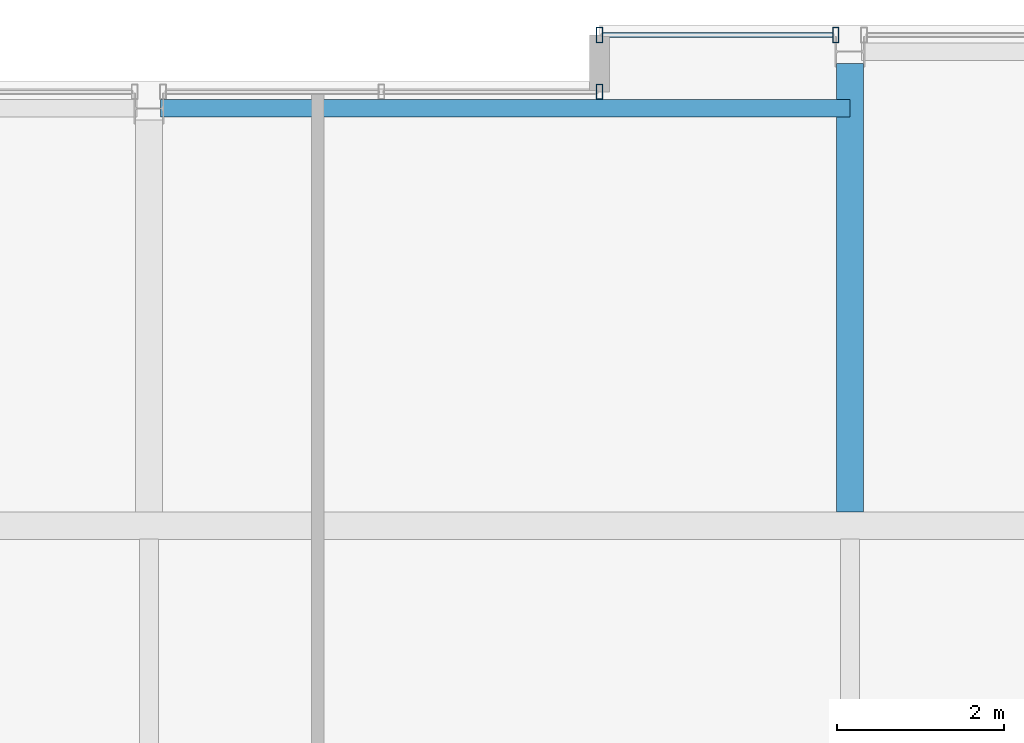
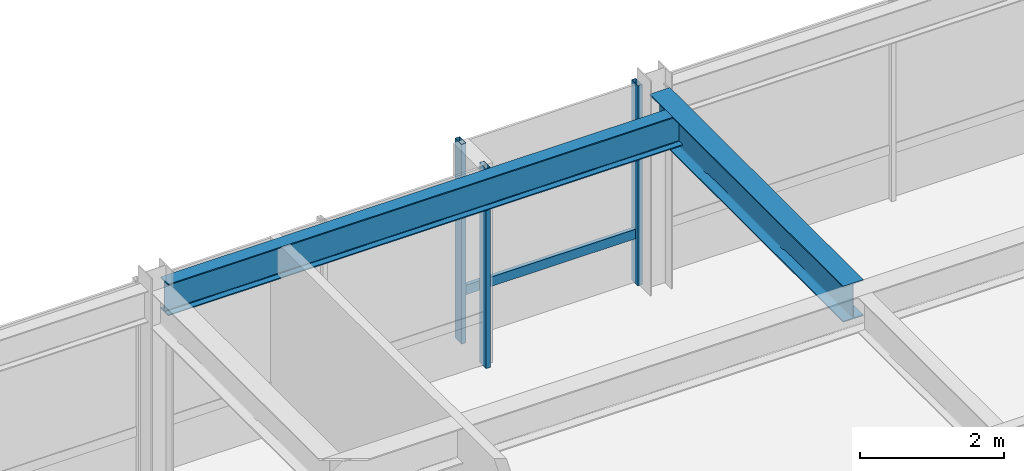
# One storey, part 24 of 33: 4 members, 2 beams, 2 elements without a shape of their own.
"""IFC4 building model written with IfcOpenShell, lengths in metres."""

import ifcopenshell
import ifcopenshell.guid

model = None  # the IFC model being written
_history = None  # IfcOwnerHistory: only IFC2X3 demands one
_inside = {}  # id of a spatial element -> (the spatial element, [elements in it])
_under = {}  # id of a project, library or spatial element -> (it, [spatial elements below it])
_declared = {}  # id of a project -> (the project, [libraries it declares])
_typed = {}  # id of a type object -> (the type object, [elements of that type])
_made_of = {}  # id of a material, layer set ... -> (it, [elements and type objects made of it])


def new_model(schema):
    """Start an empty IFC model of exactly this schema.

    Asked for "IFC4X3", IfcOpenShell would pick the latest addendum, in which some entities
    have other attributes; the version numbers below select the first issue.
    IFC2X3 requires an IfcOwnerHistory on every rooted entity: one is made here for all.
    """
    global model, _history
    if schema == "IFC4X3":
        model = ifcopenshell.file(schema_version=(4, 3, 0, 0))
    else:
        model = ifcopenshell.file(schema=schema)
    _inside.clear()
    _under.clear()
    _declared.clear()
    _typed.clear()
    _made_of.clear()
    _history = None
    if model.schema == "IFC2X3":
        org = make("IfcOrganization", Name="unknown")
        user = make(
            "IfcPersonAndOrganization",
            ThePerson=make("IfcPerson", FamilyName="unknown"),
            TheOrganization=org,
        )
        app = make(
            "IfcApplication",
            ApplicationDeveloper=org,
            Version="unknown",
            ApplicationFullName="unknown",
            ApplicationIdentifier="unknown",
        )
        _history = make(
            "IfcOwnerHistory",
            OwningUser=user,
            OwningApplication=app,
            ChangeAction="ADDED",
            CreationDate=0,
        )
    return model


def make(cls, **values):
    """One entity of the class cls with the attributes given. An attribute that is None is left unset."""
    return model.create_entity(
        cls, **{name: value for name, value in values.items() if value is not None}
    )


def rooted(cls, **values):
    """An entity with a GlobalId (a new one), such as an element, a storey or a relation."""
    return make(cls, GlobalId=ifcopenshell.guid.new(), OwnerHistory=_history, **values)


def si_unit(unit_type, name, prefix=None):
    """IfcSIUnit, for example si_unit("LENGTHUNIT", "METRE", prefix="MILLI")."""
    return make("IfcSIUnit", UnitType=unit_type, Prefix=prefix, Name=name)


def assignment(units):
    """IfcUnitAssignment: the units of a project."""
    return None if units is None else make("IfcUnitAssignment", Units=units)


def point(xyz):
    """IfcCartesianPoint."""
    return None if xyz is None else make("IfcCartesianPoint", Coordinates=xyz)


def direction(xyz):
    """IfcDirection."""
    return None if xyz is None else make("IfcDirection", DirectionRatios=xyz)


def frame(location, z_axis=None, x_axis=None):
    """IfcAxis2Placement3D, a coordinate frame: its origin and axes. An axis left out is left unset."""
    return make(
        "IfcAxis2Placement3D",
        Location=point(location),
        Axis=direction(z_axis),
        RefDirection=direction(x_axis),
    )


def frame_2d(location, x_axis=None):
    """IfcAxis2Placement2D, a coordinate frame in the plane: its origin and x axis."""
    return make(
        "IfcAxis2Placement2D", Location=point(location), RefDirection=direction(x_axis)
    )


def origin():
    """The frame at (0, 0, 0) with its axes left unset."""
    return frame((0.0, 0.0, 0.0))


def origin_2d():
    """The frame at (0, 0) in the plane with its x axis left unset."""
    return frame_2d((0.0, 0.0))


def place(relative_to, where):
    """IfcLocalPlacement: puts the frame where relative to a parent placement (None: the world)."""
    return make(
        "IfcLocalPlacement", PlacementRelTo=relative_to, RelativePlacement=where
    )


def context(
    kind, dimensions, precision=None, world=None, true_north=None, identifier=None
):
    """IfcGeometricRepresentationContext, for example the 3D "Model" context."""
    return make(
        "IfcGeometricRepresentationContext",
        ContextIdentifier=identifier,
        ContextType=kind,
        CoordinateSpaceDimension=dimensions,
        Precision=precision,
        WorldCoordinateSystem=world,
        TrueNorth=true_north,
    )


def subcontext(parent, identifier, kind, view, scale=None):
    """IfcGeometricRepresentationSubContext, for example "Body" below "Model"."""
    return make(
        "IfcGeometricRepresentationSubContext",
        ContextIdentifier=identifier,
        ContextType=kind,
        ParentContext=parent,
        TargetScale=scale,
        TargetView=view,
    )


def project(units=None, contexts=None):
    """IfcProject with its units and contexts."""
    return rooted(
        "IfcProject",
        Name="project",
        RepresentationContexts=contexts,
        UnitsInContext=assignment(units),
    )


def spatial(cls, under=None, at=None, **own):
    """A site, building, storey or space (cls), placed at a placement, below another one or the project."""
    s = rooted(cls, ObjectPlacement=at, **own)
    if under is not None:
        _under.setdefault(under.id(), (under, []))[1].append(s)
    return s


def profile(cls, at=None, kind="AREA", **sizes):
    """A parametric profile (cls). Its sizes go by their IFC names, for example OverallWidth=200.0."""
    return make(cls, ProfileType=kind, Position=at, **sizes)


def hollow_rectangle(**sizes):
    """IfcRectangleHollowProfileDef."""
    return profile("IfcRectangleHollowProfileDef", **sizes)


def i_section(**sizes):
    """IfcIShapeProfileDef."""
    return profile("IfcIShapeProfileDef", **sizes)


def extrude(swept, where, along, depth):
    """IfcExtrudedAreaSolid: the profile swept, set in the frame where, extruded along a direction by depth."""
    return make(
        "IfcExtrudedAreaSolid",
        SweptArea=swept,
        Position=where,
        ExtrudedDirection=direction(along),
        Depth=depth,
    )


def shape(context_of_items, identifier, shape_type, items):
    """IfcShapeRepresentation: the items that make up one representation, for example the "Body"."""
    return make(
        "IfcShapeRepresentation",
        ContextOfItems=context_of_items,
        RepresentationIdentifier=identifier,
        RepresentationType=shape_type,
        Items=items,
    )


def material(Name=None, Category=None):
    """IfcMaterial."""
    return make("IfcMaterial", Name=Name, Category=Category)


def layer(
    of_material, thickness, ventilated=None, Name=None, Category=None, Priority=None
):
    """IfcMaterialLayer: one layer of a wall or slab, of a material (None: an air gap)."""
    return make(
        "IfcMaterialLayer",
        Material=of_material,
        LayerThickness=thickness,
        IsVentilated=ventilated,
        Name=Name,
        Category=Category,
        Priority=Priority,
    )


def layer_set(layers, Name=None):
    """IfcMaterialLayerSet."""
    return make("IfcMaterialLayerSet", MaterialLayers=layers, LayerSetName=Name)


def material_profile(
    of_material, cross_section, Name=None, Category=None, Priority=None
):
    """IfcMaterialProfile: a cross section and its material."""
    return make(
        "IfcMaterialProfile",
        Name=Name,
        Material=of_material,
        Profile=cross_section,
        Priority=Priority,
        Category=Category,
    )


def profile_set(profiles, Name=None, composite=None):
    """IfcMaterialProfileSet."""
    return make(
        "IfcMaterialProfileSet",
        Name=Name,
        MaterialProfiles=profiles,
        CompositeProfile=composite,
    )


def made_of(thing, what):
    """Note that an element or type object is made of a material, layer set ...; save() writes the relation."""
    if what is not None:
        _made_of.setdefault(what.id(), (what, []))[1].append(thing)
    return thing


def type_object(cls, material=None, **own):
    """A type object (cls), such as IfcWallType, which elements share."""
    return made_of(rooted(cls, **own), material)


def element(
    cls,
    number,
    at=None,
    inside=None,
    cuts=None,
    type_object=None,
    material=None,
    context=None,
    identifier="Body",
    shape_type=None,
    held_by="IfcProductDefinitionShape",
    body=None,
    shapes=None,
    **own,
):
    """One element of the class cls, such as IfcWall. Its Tag is "e" and its number.

    at: its placement. inside: the storey or other place that contains it. cuts: it is an
    opening in that element (IfcRelVoidsElement). A single representation is given by context,
    identifier, shape_type and body (its items); several are given by shapes. held_by: the class
    of the entity that holds the representations. save() writes the other relations.
    """
    e = rooted(cls, Tag="e%d" % number, ObjectPlacement=at, **own)
    if body is not None:
        shapes = [shape(context, identifier, shape_type, body)]
    if shapes is not None:
        e.Representation = make(held_by, Representations=shapes)
    if inside is not None:
        _inside.setdefault(inside.id(), (inside, []))[1].append(e)
    if cuts is not None:
        rooted(
            "IfcRelVoidsElement", RelatingBuildingElement=cuts, RelatedOpeningElement=e
        )
    if type_object is not None:
        _typed.setdefault(type_object.id(), (type_object, []))[1].append(e)
    return made_of(e, material)


def aggregate(whole, parts):
    """IfcRelAggregates: a whole, such as a stair, and the parts it consists of."""
    return rooted("IfcRelAggregates", RelatingObject=whole, RelatedObjects=parts)


def save(model, path):
    """Write the relations noted so far, then the file.

    IfcRelAggregates (storeys below a building ...), IfcRelContainedInSpatialStructure (elements
    in a storey), IfcRelDefinesByType, IfcRelAssociatesMaterial and IfcRelDeclares: one each for
    every whole, place, type object, material and project.
    """
    for whole, parts in _under.values():
        aggregate(whole, parts)
    for where, things in _inside.values():
        rooted(
            "IfcRelContainedInSpatialStructure",
            RelatedElements=things,
            RelatingStructure=where,
        )
    for kind, things in _typed.values():
        rooted("IfcRelDefinesByType", RelatedObjects=things, RelatingType=kind)
    for what, things in _made_of.values():
        rooted("IfcRelAssociatesMaterial", RelatedObjects=things, RelatingMaterial=what)
    for by, libraries in _declared.values():
        rooted("IfcRelDeclares", RelatingContext=by, RelatedDefinitions=libraries)
    model.write(path)


model = new_model("IFC4")

# Units and contexts
model_context = context("Model", 3, precision=1e-05, world=origin(), true_north=direction((0.0, 1.0)))
body_context = subcontext(model_context, "Body", "Model", "MODEL_VIEW")
ifc_project = project(units=[si_unit("LENGTHUNIT", "METRE"), si_unit("AREAUNIT", "SQUARE_METRE"), si_unit("VOLUMEUNIT", "CUBIC_METRE"), si_unit("PLANEANGLEUNIT", "RADIAN"), si_unit("MASSUNIT", "GRAM", prefix="KILO")], contexts=[model_context])

# Site, building, storey
site_placement = place(None, origin())
site = spatial("IfcSite", under=ifc_project, at=site_placement, CompositionType="ELEMENT")
building_placement = place(site_placement, origin())
building = spatial("IfcBuilding", under=site, at=building_placement, Name="Drelvath Grand Hotel", CompositionType="ELEMENT")
storey_placement = place(building_placement, frame((0.0, 0.0, 275.949951171875)))
storey = spatial("IfcBuildingStorey", under=building, at=storey_placement, Name="L72", CompositionType="ELEMENT", Elevation=275.949951171875)

# Curtain wall, member
ifc_material_1 = material(Name="Platinum-Mist Anodised Aluminium Frame", Category="aluminium")
ifc_layer = layer(ifc_material_1, 0.199951171875)
ifc_layer_set = layer_set([ifc_layer], Name="Platinum-Mist Anodised Aluminium Frame")
curtain_wall_type = type_object("IfcCurtainWallType", Name="Stick Curtain Wall CW-05 Platinum Mist High-Rise", PredefinedType="NOTDEFINED", material=ifc_layer_set)
curtain_wall_1_placement = place(storey_placement, origin())
curtain_wall_1 = element("IfcCurtainWall", 1, at=curtain_wall_1_placement, inside=storey, type_object=curtain_wall_type, Name="L72 CW-05 Curtain Wall CW05-L72-NE1", PredefinedType="NOTDEFINED")
ifc_material_profile_1 = material_profile(ifc_material_1, hollow_rectangle(XDim=0.06494140625, YDim=0.159912109375, WallThickness=0.00390625, at=origin_2d()), Name="HSS160X65X4")
ifc_profile_set_1 = profile_set([ifc_material_profile_1], Name="Platinum-Mist Anodised Aluminium Frame")
member_type_1 = type_object("IfcMemberType", Name="Curtain Wall Horizontal Transom CW-05 HSS160X65X4", PredefinedType="USERDEFINED", material=ifc_profile_set_1)
member_1_placement = place(storey_placement, frame((5.43994140625, 49.080078125, 0.84765625), z_axis=(1.0, 0.0, 0.0), x_axis=(0.0, 1.0, 0.0)))
member_1 = element("IfcMember", 2, at=member_1_placement, type_object=member_type_1, Name="CW05-L72-NE1 Sill Transom", ObjectType="TRANSOM", PredefinedType="USERDEFINED", context=body_context, shape_type="SweptSolid", body=[
    extrude(hollow_rectangle(XDim=0.06494140625, YDim=0.159912109375, WallThickness=0.00390625, at=origin_2d()), origin(), (0.0, 0.0, 1.0), 2.75),
])

curtain_wall_2_placement = place(storey_placement, origin())
curtain_wall_2 = element("IfcCurtainWall", 3, at=curtain_wall_2_placement, inside=storey, type_object=curtain_wall_type, Name="L72 CW-05 Curtain Wall CW05-L72-NM2", PredefinedType="NOTDEFINED")
ifc_material_profile_2 = material_profile(ifc_material_1, hollow_rectangle(XDim=0.074951171875, YDim=0.179931640625, WallThickness=0.0048828125, at=origin_2d()), Name="HSS180X75X5")
ifc_profile_set_2 = profile_set([ifc_material_profile_2], Name="Platinum-Mist Anodised Aluminium Frame")
member_type_2 = type_object("IfcMemberType", Name="Curtain Wall Vertical Mullion CW-05 HSS180X75X5", PredefinedType="MULLION", material=ifc_profile_set_2)
member_2_placement = place(storey_placement, frame((5.39990234375, 48.39990234375, 0.0), z_axis=(0.0, 0.0, 1.0), x_axis=(1.0, 0.0, 0.0)))
member_2 = element("IfcMember", 4, at=member_2_placement, type_object=member_type_2, Name="CW05-L72-NM2 Mullion 3", PredefinedType="MULLION", context=body_context, shape_type="SweptSolid", body=[
    extrude(hollow_rectangle(XDim=0.074951171875, YDim=0.179931640625, WallThickness=0.0048828125, at=origin_2d()), origin(), (0.0, 0.0, 1.0), 3.39013671875),
])
aggregate(curtain_wall_2, [member_2])

# Member
member_3_placement = place(storey_placement, frame((5.39990234375, 49.080078125, 0.0), z_axis=(0.0, 0.0, 1.0), x_axis=(1.0, 0.0, 0.0)))
member_3 = element("IfcMember", 5, at=member_3_placement, type_object=member_type_2, Name="CW05-L72-NE1 Mullion 1", PredefinedType="MULLION", context=body_context, shape_type="SweptSolid", body=[
    extrude(hollow_rectangle(XDim=0.074951171875, YDim=0.179931640625, WallThickness=0.0048828125, at=origin_2d()), origin(), (0.0, 0.0, 1.0), 3.39013671875),
])

member_4_placement = place(storey_placement, frame((8.22998046875, 49.080078125, 0.0), z_axis=(0.0, 0.0, 1.0), x_axis=(1.0, 0.0, 0.0)))
member_4 = element("IfcMember", 6, at=member_4_placement, type_object=member_type_2, Name="CW05-L72-NE1 Mullion 2", PredefinedType="MULLION", context=body_context, shape_type="SweptSolid", body=[
    extrude(hollow_rectangle(XDim=0.074951171875, YDim=0.179931640625, WallThickness=0.0048828125, at=origin_2d()), origin(), (0.0, 0.0, 1.0), 3.39013671875),
])

aggregate(curtain_wall_1, [member_3, member_4, member_1])

# Beams
ifc_material_2 = material(Name="Steel ASTM A992 Gr 50", Category="steel")
ifc_material_profile_3 = material_profile(ifc_material_2, i_section(OverallWidth=0.210205078125, OverallDepth=0.53662109375, WebThickness=0.010986328125, FlangeThickness=0.017333984375, FilletRadius=0.01806640625, at=origin_2d()), Name="W21X68")
ifc_profile_set_3 = profile_set([ifc_material_profile_3], Name="Steel ASTM A992 Gr 50")
beam_type_1 = type_object("IfcBeamType", Name="Perimeter Spandrel Beam W21X68", PredefinedType="SPANDREL", material=ifc_profile_set_3)
beam_1_placement = place(storey_placement, frame((0.139892578125, 48.199951171875, 3.12158203125), z_axis=(1.0, 0.0, 0.0), x_axis=(0.0, 1.0, 0.0)))
element("IfcBeam", 7, at=beam_1_placement, inside=storey, type_object=beam_type_1, Name="L72 Spandrel North Mid E", PredefinedType="SPANDREL", context=body_context, shape_type="SweptSolid", body=[
    extrude(i_section(OverallWidth=0.210205078125, OverallDepth=0.53662109375, WebThickness=0.010986328125, FlangeThickness=0.017333984375, FilletRadius=0.01806640625, at=origin_2d()), origin(), (0.0, 0.0, 1.0), 8.260009765625),
])
ifc_material_profile_4 = material_profile(ifc_material_2, i_section(OverallWidth=0.323974609375, OverallDepth=0.611083984375, WebThickness=0.0126953125, FlangeThickness=0.01904296875, FilletRadius=0.02197265625, at=origin_2d()), Name="W24X104")
ifc_profile_set_4 = profile_set([ifc_material_profile_4], Name="Steel ASTM A992 Gr 50")
beam_type_2 = type_object("IfcBeamType", Name="Primary Floor Girder W24X104", PredefinedType="BEAM", material=ifc_profile_set_4)
beam_2_placement = place(storey_placement, frame((8.39990234375, 43.362060546875, 3.08447265625), z_axis=(0.0, 1.0, 0.0), x_axis=(-1.0, 0.0, 0.0)))
element("IfcBeam", 8, at=beam_2_placement, inside=storey, type_object=beam_type_2, Name="L72 North Wing Girder 6", PredefinedType="BEAM", context=body_context, shape_type="SweptSolid", body=[
    extrude(i_section(OverallWidth=0.323974609375, OverallDepth=0.611083984375, WebThickness=0.0126953125, FlangeThickness=0.01904296875, FilletRadius=0.02197265625, at=origin_2d()), origin(), (0.0, 0.0, 1.0), 5.3779296875),
])

save(model, "model.ifc")
